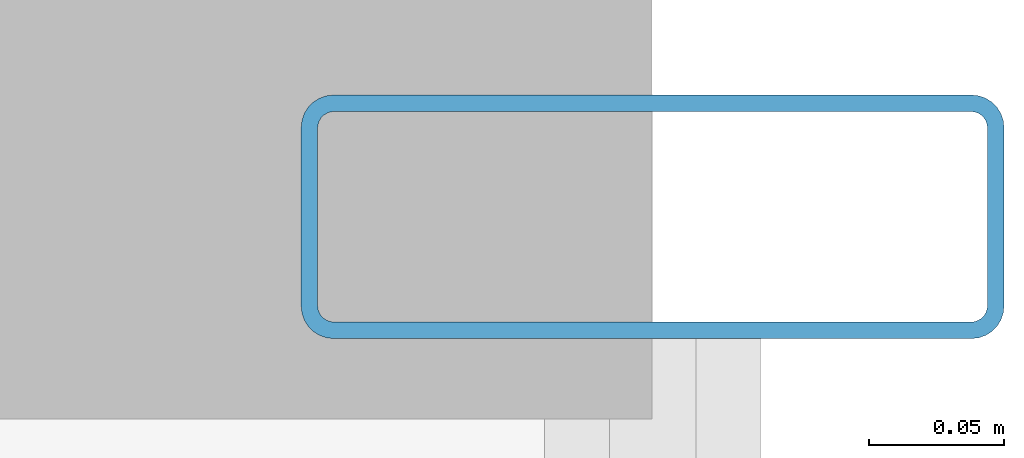
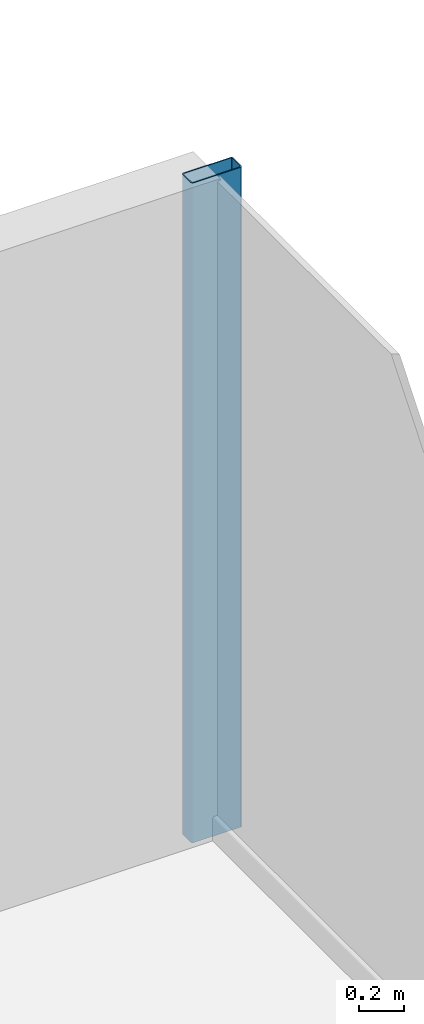
# One storey, part 18 of 25: 1 member, 1 element without a shape of its own.
"""IFC4 building model written with IfcOpenShell, lengths in metres."""

from ifc_helpers import new_model, si_unit, direction, frame, origin, origin_2d, place, context, subcontext, project, spatial, hollow_rectangle, extrude, source, transform, mapped, material, layer, layer_set, material_profile, profile_set, type_object, element, aggregate, save


model = new_model("IFC4")

# Units and contexts
model_context = context("Model", 3, precision=1e-05, world=origin(), true_north=direction((0.0, 1.0)))
body_context = subcontext(model_context, "Body", "Model", "MODEL_VIEW")
ifc_project = project(units=[si_unit("LENGTHUNIT", "METRE"), si_unit("AREAUNIT", "SQUARE_METRE"), si_unit("VOLUMEUNIT", "CUBIC_METRE"), si_unit("PLANEANGLEUNIT", "RADIAN"), si_unit("MASSUNIT", "GRAM", prefix="KILO")], contexts=[model_context])

# Site, building, storey
site_placement = place(None, origin())
site = spatial("IfcSite", under=ifc_project, at=site_placement, CompositionType="ELEMENT")
building_placement = place(site_placement, origin())
building = spatial("IfcBuilding", under=site, at=building_placement, Name="Nefas-Gora Pilgrimage Tower", CompositionType="ELEMENT")
storey_placement = place(building_placement, frame((0.0, 0.0, 109.800048828125)))
storey = spatial("IfcBuildingStorey", under=building, at=storey_placement, Name="L26", CompositionType="ELEMENT", Elevation=109.800048828125)

# Curtain wall, member
ifc_material_1 = material(Name="Dark ceramic-fritted solar-control aluminium-glass curtain wall", Category="aluminium")
ifc_layer = layer(ifc_material_1, 0.219970703125)
ifc_layer_set = layer_set([ifc_layer], Name="Dark ceramic-fritted solar-control aluminium-glass curtain wall")
curtain_wall_type = type_object("IfcCurtainWallType", Name="CW-SYS-2", PredefinedType="NOTDEFINED", material=ifc_layer_set)
curtain_wall_placement = place(storey_placement, origin())
curtain_wall = element("IfcCurtainWall", 1, at=curtain_wall_placement, inside=storey, type_object=curtain_wall_type, Name="L26 Unitised Curtain Wall CW2", PredefinedType="NOTDEFINED")
ifc_material_2 = material(Name="Anodised architectural aluminium", Category="aluminium")
ifc_material_profile = material_profile(ifc_material_2, hollow_rectangle(XDim=0.090087890625, YDim=0.260009765625, WallThickness=0.006103515625, InnerFilletRadius=0.006103515625, OuterFilletRadius=0.011962890625, at=origin_2d()), Name="ALU MULLION 90x260")
ifc_profile_set = profile_set([ifc_material_profile], Name="Anodised architectural aluminium")
member_type = type_object("IfcMemberType", Name="CWM-MUL-2", PredefinedType="MULLION", material=ifc_profile_set)
shared_shape = source(origin(), body_context, "Body", "SweptSolid", [
    extrude(hollow_rectangle(XDim=0.090087890625, YDim=0.260009765625, WallThickness=0.006103515625, InnerFilletRadius=0.006103515625, OuterFilletRadius=0.011962890625, at=origin_2d()), origin(), (0.0, 0.0, 1.0), 3.550048828125),
])
member_placement = place(storey_placement, frame((34.27001953125, 17.574951171875, 0.0), z_axis=(0.0, 0.0, 1.0), x_axis=(0.0, 1.0, 0.0)))
member = element("IfcMember", 2, at=member_placement, type_object=member_type, Name="CW2 Mullion 2", PredefinedType="MULLION", context=body_context, shape_type="MappedRepresentation", body=[
    mapped(shared_shape, transform((0.0, 0.0, 0.0), x_axis=(1.0, 0.0, 0.0), y_axis=(0.0, 1.0, 0.0), z_axis=(0.0, 0.0, 1.0), scale=1.0)),
])
aggregate(curtain_wall, [member])

save(model, "model.ifc")
